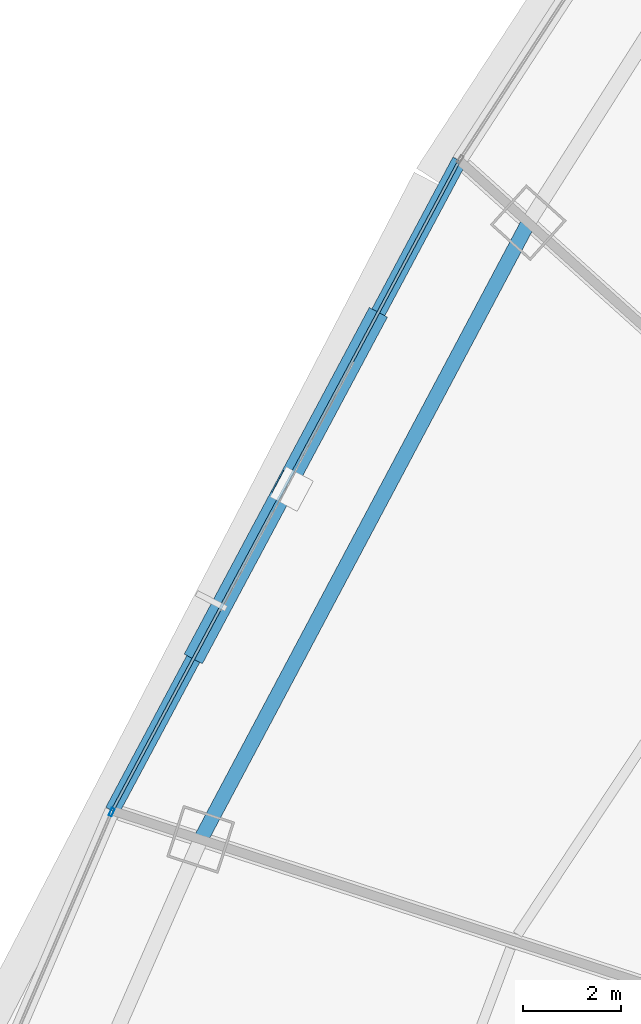
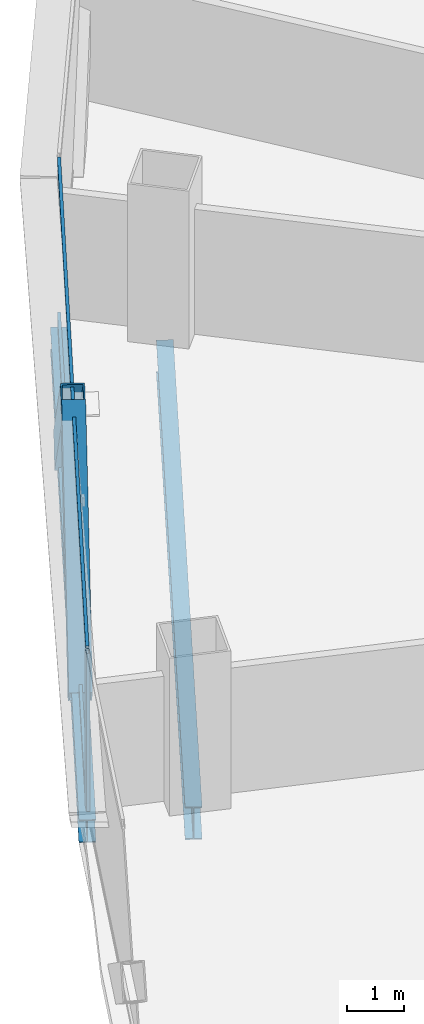
# One storey, part 13 of 38: 5 members, 2 beams, 2 elements without a shape of their own.
"""IFC4 building model written with IfcOpenShell, lengths in metres."""

from ifc_helpers import new_model, si_unit, direction, frame, origin, origin_2d, place, context, subcontext, project, spatial, hollow_rectangle, i_section, extrude, source, transform, mapped, material, layer, layer_set, material_profile, profile_set, type_object, element, aggregate, save


model = new_model("IFC4")

# Units and contexts
model_context = context("Model", 3, precision=1e-05, world=origin(), true_north=direction((0.0, 1.0)))
body_context = subcontext(model_context, "Body", "Model", "MODEL_VIEW")
ifc_project = project(units=[si_unit("LENGTHUNIT", "METRE"), si_unit("AREAUNIT", "SQUARE_METRE"), si_unit("VOLUMEUNIT", "CUBIC_METRE"), si_unit("PLANEANGLEUNIT", "RADIAN"), si_unit("MASSUNIT", "GRAM", prefix="KILO"), si_unit("THERMODYNAMICTEMPERATUREUNIT", "KELVIN"), si_unit("POWERUNIT", "WATT")], contexts=[model_context])

# Site, building, storey
site_placement = place(None, origin())
site = spatial("IfcSite", under=ifc_project, at=site_placement, CompositionType="ELEMENT")
building_placement = place(site_placement, origin())
building = spatial("IfcBuilding", under=site, at=building_placement, Name="Yunzhuo Pagoda Commons", CompositionType="ELEMENT")
storey_placement = place(building_placement, frame((0.0, 0.0, 37.659912109375)))
storey = spatial("IfcBuildingStorey", under=building, at=storey_placement, Name="L09", CompositionType="ELEMENT", Elevation=37.659912109375)

# Beams
ifc_material_1 = material(Name="Structural steel Q355B", Category="steel")
ifc_material_profile_1 = material_profile(ifc_material_1, i_section(OverallWidth=0.300048828125, OverallDepth=0.699951171875, WebThickness=0.012939453125, FlangeThickness=0.02392578125, at=origin_2d()), Name="Structural steel Q355B")
ifc_profile_set_1 = profile_set([ifc_material_profile_1], Name="Structural steel Q355B")
beam_type_1 = type_object("IfcBeamType", Name="B-RG1 Beam HN 700x300x13x24", PredefinedType="BEAM", material=ifc_profile_set_1)
shared_shape_1 = source(origin(), body_context, "Body", "SweptSolid", [
    extrude(i_section(OverallWidth=0.300048828125, OverallDepth=0.699951171875, WebThickness=0.012939453125, FlangeThickness=0.02392578125, at=origin_2d()), origin(), (0.0, 0.0, 1.0), 14.25390625),
])
beam_1_placement = place(storey_placement, frame((22.351318359375, 56.79443359375, -0.60986328125), z_axis=(-0.469118073628, -0.883135455633, 0.0), x_axis=(0.883135455633, -0.469118073628, 0.0)))
element("IfcBeam", 1, at=beam_1_placement, inside=storey, type_object=beam_type_1, Name="L09 column-ring beam 10", PredefinedType="BEAM", context=body_context, shape_type="MappedRepresentation", body=[
    mapped(shared_shape_1, transform((0.0, 0.0, 0.0), scale=1.0)),
])
ifc_material_profile_2 = material_profile(ifc_material_1, i_section(OverallWidth=0.300048828125, OverallDepth=0.488037109375, WebThickness=0.010986328125, FlangeThickness=0.01806640625, at=origin_2d()), Name="Structural steel Q355B")
ifc_profile_set_2 = profile_set([ifc_material_profile_2], Name="Structural steel Q355B")
beam_type_2 = type_object("IfcBeamType", Name="B-SP1 Beam HM 488x300x11x18", PredefinedType="BEAM", material=ifc_profile_set_2)
shared_shape_2 = source(origin(), body_context, "Body", "SweptSolid", [
    extrude(i_section(OverallWidth=0.300048828125, OverallDepth=0.488037109375, WebThickness=0.010986328125, FlangeThickness=0.01806640625, at=origin_2d()), origin(), (0.0, 0.0, 1.0), 15.041748046875),
])
beam_2_placement = place(storey_placement, frame((20.94384765625, 58.061767578125, -0.50390625), z_axis=(-0.470990872098, -0.882138083522, 0.0), x_axis=(0.882138083522, -0.470990872098, 0.0)))
element("IfcBeam", 2, at=beam_2_placement, inside=storey, type_object=beam_type_2, Name="L09 facade edge spandrel beam F3.2", PredefinedType="BEAM", context=body_context, shape_type="MappedRepresentation", body=[
    mapped(shared_shape_2, transform((0.0, 0.0, 0.0), scale=1.0)),
])

# Members
ifc_material_2 = material(Name="Structural steel Q420B", Category="steel")
ifc_material_profile_3 = material_profile(ifc_material_2, hollow_rectangle(XDim=0.419921875, YDim=0.719970703125, WallThickness=0.028076171875, at=origin_2d()), Name="Structural steel Q420B")
ifc_profile_set_3 = profile_set([ifc_material_profile_3], Name="Structural steel Q420B")
member_type_1 = type_object("IfcMemberType", Name="M-DL1 Brace BOX 720x420x28", PredefinedType="BRACE", material=ifc_profile_set_3)
shared_shape_3 = source(origin(), body_context, "Body", "SweptSolid", [
    extrude(hollow_rectangle(XDim=0.419921875, YDim=0.719970703125, WallThickness=0.028076171875, at=origin_2d()), origin(), (0.0, 0.0, 1.0), 5.226806640625),
])
member_1_placement = place(storey_placement, frame((15.63037109375, 48.110107421875, -0.260009765625), z_axis=(0.338872236988, 0.634678973975, 0.69451292788), x_axis=(-0.882135398072, 0.470995901753, 0.0)))
element("IfcMember", 3, at=member_1_placement, inside=storey, type_object=member_type_1, Name="L09 facade diamond brace F3.2R", PredefinedType="BRACE", context=body_context, shape_type="MappedRepresentation", body=[
    mapped(shared_shape_3, transform((0.0, 0.0, 0.0), scale=1.0)),
])
shared_shape_4 = source(origin(), body_context, "Body", "SweptSolid", [
    extrude(hollow_rectangle(XDim=0.419921875, YDim=0.719970703125, WallThickness=0.028076171875, at=origin_2d()), origin(), (0.0, 0.0, 1.0), 5.2265625),
])
member_2_placement = place(storey_placement, frame((19.172607421875, 54.744384765625, -0.260009765625), z_axis=(-0.33885098128, -0.634633227416, 0.694565100725), x_axis=(0.882133567562, -0.470999330126, 0.0)))
element("IfcMember", 4, at=member_2_placement, inside=storey, type_object=member_type_1, Name="L09 facade diamond brace F3.2L", PredefinedType="BRACE", context=body_context, shape_type="MappedRepresentation", body=[
    mapped(shared_shape_4, transform((0.0, 0.0, 0.0), scale=1.0)),
])

# Curtain wall, members
ifc_material_3 = material(Name="Anodized aluminium 6063-T6", Category="aluminium")
ifc_layer = layer(ifc_material_3, 0.1650390625)
ifc_layer_set = layer_set([ifc_layer], Name="Anodized aluminium 6063-T6")
curtain_wall_type = type_object("IfcCurtainWallType", Name="CW-LOW Low-Zone Ribbon Curtain Wall", PredefinedType="NOTDEFINED", material=ifc_layer_set)
curtain_wall_1_placement = place(storey_placement, origin())
curtain_wall_1 = element("IfcCurtainWall", 5, at=curtain_wall_1_placement, inside=storey, type_object=curtain_wall_type, Name="L09 curtain wall CW-L09-F3B3", PredefinedType="NOTDEFINED")
ifc_material_profile_4 = material_profile(ifc_material_3, hollow_rectangle(XDim=0.06005859375, YDim=0.139892578125, WallThickness=0.00341796875, at=origin_2d()), Name="Anodized aluminium 6063-T6")
ifc_profile_set_4 = profile_set([ifc_material_profile_4], Name="Anodized aluminium 6063-T6")
member_type_2 = type_object("IfcMemberType", Name="CW-LOW-T Transom RHS 140x60x3.5", PredefinedType="USERDEFINED", material=ifc_profile_set_4)
shared_shape_5 = source(origin(), body_context, "Body", "SweptSolid", [
    extrude(hollow_rectangle(XDim=0.06005859375, YDim=0.139892578125, WallThickness=0.00341796875, at=origin_2d()), origin(), (0.0, 0.0, 1.0), 14.911865234375),
])
member_3_placement = place(storey_placement, frame((20.9130859375, 58.004638671875, 0.030029296875), z_axis=(-0.470983333873, -0.882142108287, 0.0), x_axis=(0.882142108287, -0.470983333873, 0.0)))
member_3 = element("IfcMember", 6, at=member_3_placement, type_object=member_type_2, Name="CW transom 1.1", ObjectType="TRANSOM", PredefinedType="USERDEFINED", context=body_context, shape_type="MappedRepresentation", body=[
    mapped(shared_shape_5, transform((0.0, 0.0, 0.0), scale=1.0)),
])
member_4_placement = place(storey_placement, frame((20.9130859375, 58.004638671875, 3.340087890625), z_axis=(-0.470983333873, -0.882142108287, 0.0), x_axis=(0.882142108287, -0.470983333873, 0.0)))
member_4 = element("IfcMember", 7, at=member_4_placement, type_object=member_type_2, Name="CW transom 1.2", ObjectType="TRANSOM", PredefinedType="USERDEFINED", context=body_context, shape_type="MappedRepresentation", body=[
    mapped(shared_shape_5, transform((0.0, 0.0, 0.0), scale=1.0)),
])
aggregate(curtain_wall_1, [member_3, member_4])

# Curtain wall, member
curtain_wall_2_placement = place(storey_placement, origin())
curtain_wall_2 = element("IfcCurtainWall", 8, at=curtain_wall_2_placement, inside=storey, type_object=curtain_wall_type, Name="L09 curtain wall CW-L09-F3B4", PredefinedType="NOTDEFINED")
ifc_material_profile_5 = material_profile(ifc_material_3, hollow_rectangle(XDim=0.06494140625, YDim=0.1650390625, WallThickness=0.00390625, at=origin_2d()), Name="Anodized aluminium 6063-T6")
ifc_profile_set_5 = profile_set([ifc_material_profile_5], Name="Anodized aluminium 6063-T6")
member_type_3 = type_object("IfcMemberType", Name="CW-LOW-M Mullion RHS 165x65x4", PredefinedType="MULLION", material=ifc_profile_set_5)
shared_shape_6 = source(origin(), body_context, "Body", "SweptSolid", [
    extrude(hollow_rectangle(XDim=0.06494140625, YDim=0.1650390625, WallThickness=0.00390625, at=origin_2d()), origin(), (0.0, 0.0, 1.0), 3.3701171875),
])
member_5_placement = place(storey_placement, frame((13.8466796875, 44.76318359375, 0.0), z_axis=(0.0, 0.0, 1.0), x_axis=(0.918745212535, -0.394850901535, 0.0)))
member_5 = element("IfcMember", 9, at=member_5_placement, type_object=member_type_3, Name="CW mullion 1", PredefinedType="MULLION", context=body_context, shape_type="MappedRepresentation", body=[
    mapped(shared_shape_6, transform((0.0, 0.0, 0.0), scale=1.0)),
])
aggregate(curtain_wall_2, [member_5])

save(model, "model.ifc")
